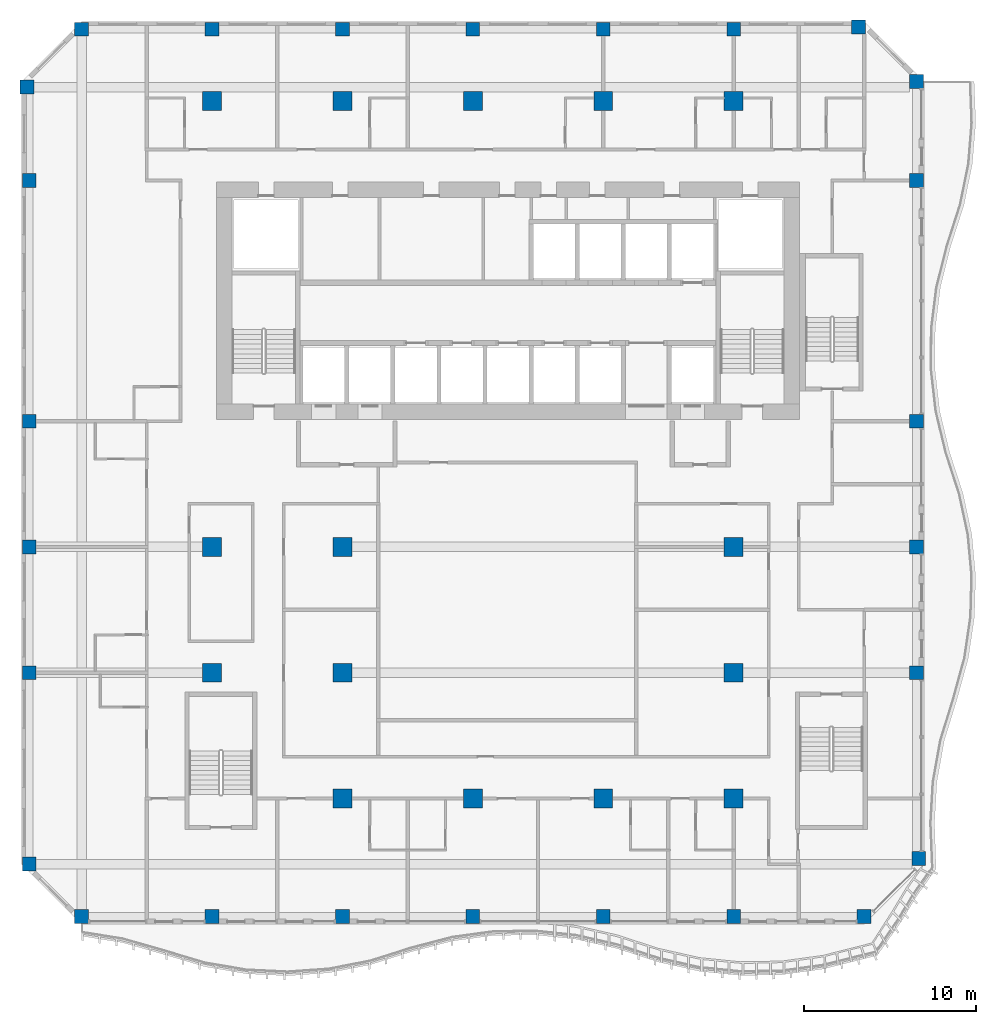
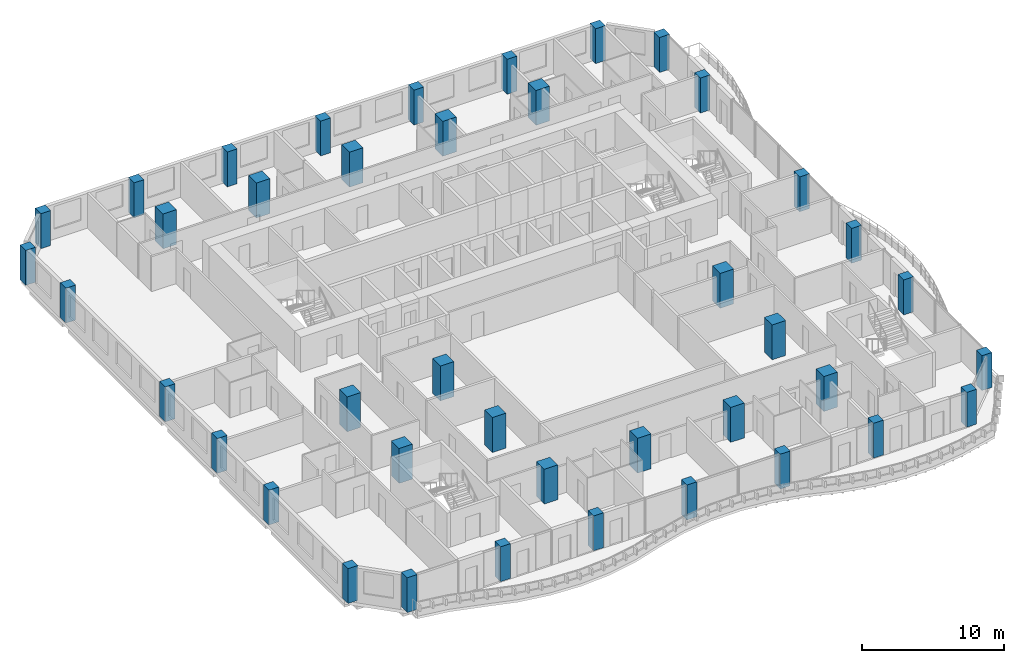
# One storey, part 1 of 23: 41 columns.
"""IFC4 building model written with IfcOpenShell, lengths in metres."""

import ifcopenshell
import ifcopenshell.guid

model = None  # the IFC model being written
_history = None  # IfcOwnerHistory: only IFC2X3 demands one
_inside = {}  # id of a spatial element -> (the spatial element, [elements in it])
_under = {}  # id of a project, library or spatial element -> (it, [spatial elements below it])
_declared = {}  # id of a project -> (the project, [libraries it declares])
_typed = {}  # id of a type object -> (the type object, [elements of that type])
_made_of = {}  # id of a material, layer set ... -> (it, [elements and type objects made of it])


def new_model(schema):
    """Start an empty IFC model of exactly this schema.

    Asked for "IFC4X3", IfcOpenShell would pick the latest addendum, in which some entities
    have other attributes; the version numbers below select the first issue.
    IFC2X3 requires an IfcOwnerHistory on every rooted entity: one is made here for all.
    """
    global model, _history
    if schema == "IFC4X3":
        model = ifcopenshell.file(schema_version=(4, 3, 0, 0))
    else:
        model = ifcopenshell.file(schema=schema)
    _inside.clear()
    _under.clear()
    _declared.clear()
    _typed.clear()
    _made_of.clear()
    _history = None
    if model.schema == "IFC2X3":
        org = make("IfcOrganization", Name="unknown")
        user = make(
            "IfcPersonAndOrganization",
            ThePerson=make("IfcPerson", FamilyName="unknown"),
            TheOrganization=org,
        )
        app = make(
            "IfcApplication",
            ApplicationDeveloper=org,
            Version="unknown",
            ApplicationFullName="unknown",
            ApplicationIdentifier="unknown",
        )
        _history = make(
            "IfcOwnerHistory",
            OwningUser=user,
            OwningApplication=app,
            ChangeAction="ADDED",
            CreationDate=0,
        )
    return model


def make(cls, **values):
    """One entity of the class cls with the attributes given. An attribute that is None is left unset."""
    return model.create_entity(
        cls, **{name: value for name, value in values.items() if value is not None}
    )


def rooted(cls, **values):
    """An entity with a GlobalId (a new one), such as an element, a storey or a relation."""
    return make(cls, GlobalId=ifcopenshell.guid.new(), OwnerHistory=_history, **values)


def si_unit(unit_type, name, prefix=None):
    """IfcSIUnit, for example si_unit("LENGTHUNIT", "METRE", prefix="MILLI")."""
    return make("IfcSIUnit", UnitType=unit_type, Prefix=prefix, Name=name)


def assignment(units):
    """IfcUnitAssignment: the units of a project."""
    return None if units is None else make("IfcUnitAssignment", Units=units)


def point(xyz):
    """IfcCartesianPoint."""
    return None if xyz is None else make("IfcCartesianPoint", Coordinates=xyz)


def direction(xyz):
    """IfcDirection."""
    return None if xyz is None else make("IfcDirection", DirectionRatios=xyz)


def frame(location, z_axis=None, x_axis=None):
    """IfcAxis2Placement3D, a coordinate frame: its origin and axes. An axis left out is left unset."""
    return make(
        "IfcAxis2Placement3D",
        Location=point(location),
        Axis=direction(z_axis),
        RefDirection=direction(x_axis),
    )


def frame_2d(location, x_axis=None):
    """IfcAxis2Placement2D, a coordinate frame in the plane: its origin and x axis."""
    return make(
        "IfcAxis2Placement2D", Location=point(location), RefDirection=direction(x_axis)
    )


def origin():
    """The frame at (0, 0, 0) with its axes left unset."""
    return frame((0.0, 0.0, 0.0))


def origin_2d():
    """The frame at (0, 0) in the plane with its x axis left unset."""
    return frame_2d((0.0, 0.0))


def place(relative_to, where):
    """IfcLocalPlacement: puts the frame where relative to a parent placement (None: the world)."""
    return make(
        "IfcLocalPlacement", PlacementRelTo=relative_to, RelativePlacement=where
    )


def context(
    kind, dimensions, precision=None, world=None, true_north=None, identifier=None
):
    """IfcGeometricRepresentationContext, for example the 3D "Model" context."""
    return make(
        "IfcGeometricRepresentationContext",
        ContextIdentifier=identifier,
        ContextType=kind,
        CoordinateSpaceDimension=dimensions,
        Precision=precision,
        WorldCoordinateSystem=world,
        TrueNorth=true_north,
    )


def subcontext(parent, identifier, kind, view, scale=None):
    """IfcGeometricRepresentationSubContext, for example "Body" below "Model"."""
    return make(
        "IfcGeometricRepresentationSubContext",
        ContextIdentifier=identifier,
        ContextType=kind,
        ParentContext=parent,
        TargetScale=scale,
        TargetView=view,
    )


def project(units=None, contexts=None):
    """IfcProject with its units and contexts."""
    return rooted(
        "IfcProject",
        Name="project",
        RepresentationContexts=contexts,
        UnitsInContext=assignment(units),
    )


def spatial(cls, under=None, at=None, **own):
    """A site, building, storey or space (cls), placed at a placement, below another one or the project."""
    s = rooted(cls, ObjectPlacement=at, **own)
    if under is not None:
        _under.setdefault(under.id(), (under, []))[1].append(s)
    return s


def profile(cls, at=None, kind="AREA", **sizes):
    """A parametric profile (cls). Its sizes go by their IFC names, for example OverallWidth=200.0."""
    return make(cls, ProfileType=kind, Position=at, **sizes)


def rectangle(**sizes):
    """IfcRectangleProfileDef."""
    return profile("IfcRectangleProfileDef", **sizes)


def extrude(swept, where, along, depth):
    """IfcExtrudedAreaSolid: the profile swept, set in the frame where, extruded along a direction by depth."""
    return make(
        "IfcExtrudedAreaSolid",
        SweptArea=swept,
        Position=where,
        ExtrudedDirection=direction(along),
        Depth=depth,
    )


def shape(context_of_items, identifier, shape_type, items):
    """IfcShapeRepresentation: the items that make up one representation, for example the "Body"."""
    return make(
        "IfcShapeRepresentation",
        ContextOfItems=context_of_items,
        RepresentationIdentifier=identifier,
        RepresentationType=shape_type,
        Items=items,
    )


def source(mapping_origin, context_of_items, identifier, shape_type, items):
    """IfcRepresentationMap: a shape defined once, which mapped items show again and again."""
    return make(
        "IfcRepresentationMap",
        MappingOrigin=mapping_origin,
        MappedRepresentation=shape(context_of_items, identifier, shape_type, items),
    )


def transform(
    local_origin,
    x_axis=None,
    y_axis=None,
    z_axis=None,
    scale=None,
    scale2=None,
    scale3=None,
    uniform=True,
):
    """IfcCartesianTransformationOperator3D, or its non-uniform kind. x_axis, y_axis, z_axis: its Axis1, 2, 3."""
    if uniform:
        return make(
            "IfcCartesianTransformationOperator3D",
            Axis1=direction(x_axis),
            Axis2=direction(y_axis),
            LocalOrigin=point(local_origin),
            Scale=scale,
            Axis3=direction(z_axis),
        )
    return make(
        "IfcCartesianTransformationOperator3DnonUniform",
        Axis1=direction(x_axis),
        Axis2=direction(y_axis),
        LocalOrigin=point(local_origin),
        Scale=scale,
        Axis3=direction(z_axis),
        Scale2=scale2,
        Scale3=scale3,
    )


def mapped(mapping_source, mapping_target):
    """IfcMappedItem: shows the shape of a source again, moved by a transform."""
    return make(
        "IfcMappedItem", MappingSource=mapping_source, MappingTarget=mapping_target
    )


def material(Name=None, Category=None):
    """IfcMaterial."""
    return make("IfcMaterial", Name=Name, Category=Category)


def material_profile(
    of_material, cross_section, Name=None, Category=None, Priority=None
):
    """IfcMaterialProfile: a cross section and its material."""
    return make(
        "IfcMaterialProfile",
        Name=Name,
        Material=of_material,
        Profile=cross_section,
        Priority=Priority,
        Category=Category,
    )


def profile_set(profiles, Name=None, composite=None):
    """IfcMaterialProfileSet."""
    return make(
        "IfcMaterialProfileSet",
        Name=Name,
        MaterialProfiles=profiles,
        CompositeProfile=composite,
    )


def made_of(thing, what):
    """Note that an element or type object is made of a material, layer set ...; save() writes the relation."""
    if what is not None:
        _made_of.setdefault(what.id(), (what, []))[1].append(thing)
    return thing


def type_object(cls, material=None, **own):
    """A type object (cls), such as IfcWallType, which elements share."""
    return made_of(rooted(cls, **own), material)


def element(
    cls,
    number,
    at=None,
    inside=None,
    cuts=None,
    type_object=None,
    material=None,
    context=None,
    identifier="Body",
    shape_type=None,
    held_by="IfcProductDefinitionShape",
    body=None,
    shapes=None,
    **own,
):
    """One element of the class cls, such as IfcWall. Its Tag is "e" and its number.

    at: its placement. inside: the storey or other place that contains it. cuts: it is an
    opening in that element (IfcRelVoidsElement). A single representation is given by context,
    identifier, shape_type and body (its items); several are given by shapes. held_by: the class
    of the entity that holds the representations. save() writes the other relations.
    """
    e = rooted(cls, Tag="e%d" % number, ObjectPlacement=at, **own)
    if body is not None:
        shapes = [shape(context, identifier, shape_type, body)]
    if shapes is not None:
        e.Representation = make(held_by, Representations=shapes)
    if inside is not None:
        _inside.setdefault(inside.id(), (inside, []))[1].append(e)
    if cuts is not None:
        rooted(
            "IfcRelVoidsElement", RelatingBuildingElement=cuts, RelatedOpeningElement=e
        )
    if type_object is not None:
        _typed.setdefault(type_object.id(), (type_object, []))[1].append(e)
    return made_of(e, material)


def aggregate(whole, parts):
    """IfcRelAggregates: a whole, such as a stair, and the parts it consists of."""
    return rooted("IfcRelAggregates", RelatingObject=whole, RelatedObjects=parts)


def save(model, path):
    """Write the relations noted so far, then the file.

    IfcRelAggregates (storeys below a building ...), IfcRelContainedInSpatialStructure (elements
    in a storey), IfcRelDefinesByType, IfcRelAssociatesMaterial and IfcRelDeclares: one each for
    every whole, place, type object, material and project.
    """
    for whole, parts in _under.values():
        aggregate(whole, parts)
    for where, things in _inside.values():
        rooted(
            "IfcRelContainedInSpatialStructure",
            RelatedElements=things,
            RelatingStructure=where,
        )
    for kind, things in _typed.values():
        rooted("IfcRelDefinesByType", RelatedObjects=things, RelatingType=kind)
    for what, things in _made_of.values():
        rooted("IfcRelAssociatesMaterial", RelatedObjects=things, RelatingMaterial=what)
    for by, libraries in _declared.values():
        rooted("IfcRelDeclares", RelatingContext=by, RelatedDefinitions=libraries)
    model.write(path)


model = new_model("IFC4")

# Units and contexts
model_context = context("Model", 3, precision=1e-05, world=origin(), true_north=direction((0.0, 1.0)))
body_context = subcontext(model_context, "Body", "Model", "MODEL_VIEW")
ifc_project = project(units=[si_unit("LENGTHUNIT", "METRE"), si_unit("AREAUNIT", "SQUARE_METRE"), si_unit("VOLUMEUNIT", "CUBIC_METRE"), si_unit("PLANEANGLEUNIT", "RADIAN"), si_unit("MASSUNIT", "GRAM", prefix="KILO")], contexts=[model_context])

# Site, building, storey
site_placement = place(None, origin())
site = spatial("IfcSite", under=ifc_project, at=site_placement, CompositionType="ELEMENT")
building_placement = place(site_placement, origin())
building = spatial("IfcBuilding", under=site, at=building_placement, Name="Kilnfold Tower and Market Hall", CompositionType="ELEMENT")
storey_placement = place(building_placement, frame((0.0, 0.0, 160.89990234375)))
storey = spatial("IfcBuildingStorey", under=building, at=storey_placement, Name="L37", CompositionType="ELEMENT", Elevation=160.89990234375)

# Columns
ifc_material_1 = material(Name="Concrete C70", Category="concrete")
ifc_material_profile_1 = material_profile(ifc_material_1, rectangle(XDim=0.800048828125, YDim=0.800048828125, at=origin_2d()), Name="RC 800x800")
ifc_profile_set_1 = profile_set([ifc_material_profile_1], Name="Concrete C70")
column_type_1 = type_object("IfcColumnType", Name="COLUMN 800X800 C70", PredefinedType="COLUMN", material=ifc_profile_set_1)
shared_shape_1 = source(origin(), body_context, "Body", "SweptSolid", [
    extrude(rectangle(XDim=0.800048828125, YDim=0.800048828125, at=origin_2d()), origin(), (0.0, 0.0, 1.0), 3.0),
])
for number, where, z_axis, x_axis, name in (
    (1, (-26.931884765625, 27.431884765625, 0.0), (0.0, 0.0, 1.0), (1.0, 0.0, 0.0), "Column C-B4-1I"),
    (2, (-26.800048828125, -17.75, 0.0), (0.0, 0.0, 1.0), (1.0, 0.0, 0.0), "Column C-B4-1B"),
    (3, (-26.800048828125, -6.625, 0.0), (0.0, 0.0, 1.0), (1.0, 0.0, 0.0), "Column C-B4-1D"),
    (4, (-26.800048828125, 0.6875, 0.0), (0.0, 0.0, 1.0), (1.0, 0.0, 0.0), "Column C-B4-1E"),
    (5, (-26.800048828125, 8.0, 0.0), (0.0, 0.0, 1.0), (1.0, 0.0, 0.0), "Column C-B4-1F"),
    (6, (-26.800048828125, 22.0, 0.0), (0.0, 0.0, 1.0), (1.0, 0.0, 0.0), "Column C-B4-1G"),
    (7, (-23.75, -20.800048828125, 0.0), (0.0, 0.0, 1.0), (1.0, 0.0, 0.0), "Column C-B4-2A"),
    (8, (-23.75, 30.800048828125, 0.0), (0.0, 0.0, 1.0), (1.0, 0.0, 0.0), "Column C-B4-2J"),
    (9, (-16.166748046875, -20.800048828125, 0.0), (0.0, 0.0, 1.0), (1.0, 0.0, 0.0), "Column C-B4-3A"),
    (10, (-16.166748046875, 30.800048828125, 0.0), (0.0, 0.0, 1.0), (1.0, 0.0, 0.0), "Column C-B4-3J"),
    (11, (-8.583251953125, -20.800048828125, 0.0), (0.0, 0.0, 1.0), (1.0, 0.0, 0.0), "Column C-B4-4A"),
    (12, (-8.583251953125, 30.800048828125, 0.0), (0.0, 0.0, 1.0), (1.0, 0.0, 0.0), "Column C-B4-4J"),
    (13, (-1.0, -20.800048828125, 0.0), (0.0, 0.0, 1.0), (1.0, 0.0, 0.0), "Column C-B4-5A"),
    (14, (-1.0, 30.800048828125, 0.0), (0.0, 0.0, 1.0), (1.0, 0.0, 0.0), "Column C-B4-5J"),
    (15, (6.583251953125, -20.800048828125, 0.0), (0.0, 0.0, 1.0), (1.0, 0.0, 0.0), "Column C-B4-6A"),
    (16, (6.583251953125, 30.800048828125, 0.0), (0.0, 0.0, 1.0), (1.0, 0.0, 0.0), "Column C-B4-6J"),
    (17, (14.166748046875, -20.800048828125, 0.0), (0.0, 0.0, 1.0), (1.0, 0.0, 0.0), "Column C-B4-7A"),
    (18, (14.166748046875, 30.800048828125, 0.0), (0.0, 0.0, 1.0), (1.0, 0.0, 0.0), "Column C-B4-7J"),
    (19, (21.431884765625, 30.931884765625, 0.0), (0.0, 0.0, 1.0), (1.0, 0.0, 0.0), "Column C-B4-8J"),
    (20, (21.75, -20.800048828125, 0.0), (0.0, 0.0, 1.0), (1.0, 0.0, 0.0), "Column C-B4-8A"),
    (21, (24.800048828125, -6.625, 0.0), (0.0, 0.0, 1.0), (1.0, 0.0, 0.0), "Column C-B4-9D"),
    (22, (24.800048828125, 0.6875, 0.0), (0.0, 0.0, 1.0), (1.0, 0.0, 0.0), "Column C-B4-9E"),
    (23, (24.800048828125, 8.0, 0.0), (0.0, 0.0, 1.0), (1.0, 0.0, 0.0), "Column C-B4-9F"),
    (24, (24.800048828125, 22.0, 0.0), (0.0, 0.0, 1.0), (1.0, 0.0, 0.0), "Column C-B4-9G"),
    (25, (24.800048828125, 27.75, 0.0), (0.0, 0.0, 1.0), (1.0, 0.0, 0.0), "Column C-B4-9I"),
    (26, (24.931884765625, -17.431884765625, 0.0), (0.0, 0.0, 1.0), (1.0, 0.0, 0.0), "Column C-B4-9B"),
):
    element("IfcColumn", number, at=place(storey_placement, frame(where, z_axis=z_axis, x_axis=x_axis)), inside=storey, type_object=column_type_1, Name=name, PredefinedType="COLUMN", context=body_context, shape_type="MappedRepresentation", body=[
        mapped(shared_shape_1, transform((0.0, 0.0, 0.0))),
    ])
ifc_material_2 = material(Name="Concrete C70", Category="concrete")
ifc_material_profile_2 = material_profile(ifc_material_2, rectangle(XDim=1.10009765625, YDim=1.10009765625, at=origin_2d()), Name="RC 1100x1100")
ifc_profile_set_2 = profile_set([ifc_material_profile_2], Name="Concrete C70")
column_type_2 = type_object("IfcColumnType", Name="COLUMN 1100X1100 C70", PredefinedType="COLUMN", material=ifc_profile_set_2)
shared_shape_2 = source(origin(), body_context, "Body", "SweptSolid", [
    extrude(rectangle(XDim=1.10009765625, YDim=1.10009765625, at=origin_2d()), origin(), (0.0, 0.0, 1.0), 3.0),
])
for number, where, z_axis, x_axis, name in (
    (27, (-16.166748046875, -6.625, 0.0), (0.0, 0.0, 1.0), (1.0, 0.0, 0.0), "Column C-B4-3D"),
    (28, (-16.166748046875, 0.6875, 0.0), (0.0, 0.0, 1.0), (1.0, 0.0, 0.0), "Column C-B4-3E"),
    (29, (-16.166748046875, 26.625, 0.0), (0.0, 0.0, 1.0), (1.0, 0.0, 0.0), "Column C-B4-3H"),
    (30, (-8.583251953125, -13.9375, 0.0), (0.0, 0.0, 1.0), (1.0, 0.0, 0.0), "Column C-B4-4C"),
    (31, (-8.583251953125, -6.625, 0.0), (0.0, 0.0, 1.0), (1.0, 0.0, 0.0), "Column C-B4-4D"),
    (32, (-8.583251953125, 0.6875, 0.0), (0.0, 0.0, 1.0), (1.0, 0.0, 0.0), "Column C-B4-4E"),
    (33, (-8.583251953125, 26.625, 0.0), (0.0, 0.0, 1.0), (1.0, 0.0, 0.0), "Column C-B4-4H"),
    (34, (-1.0, -13.9375, 0.0), (0.0, 0.0, 1.0), (1.0, 0.0, 0.0), "Column C-B4-5C"),
    (35, (-1.0, 26.625, 0.0), (0.0, 0.0, 1.0), (1.0, 0.0, 0.0), "Column C-B4-5H"),
    (36, (6.583251953125, -13.9375, 0.0), (0.0, 0.0, 1.0), (1.0, 0.0, 0.0), "Column C-B4-6C"),
    (37, (6.583251953125, 26.625, 0.0), (0.0, 0.0, 1.0), (1.0, 0.0, 0.0), "Column C-B4-6H"),
    (38, (14.166748046875, -13.9375, 0.0), (0.0, 0.0, 1.0), (1.0, 0.0, 0.0), "Column C-B4-7C"),
    (39, (14.166748046875, -6.625, 0.0), (0.0, 0.0, 1.0), (1.0, 0.0, 0.0), "Column C-B4-7D"),
    (40, (14.166748046875, 0.6875, 0.0), (0.0, 0.0, 1.0), (1.0, 0.0, 0.0), "Column C-B4-7E"),
    (41, (14.166748046875, 26.625, 0.0), (0.0, 0.0, 1.0), (1.0, 0.0, 0.0), "Column C-B4-7H"),
):
    element("IfcColumn", number, at=place(storey_placement, frame(where, z_axis=z_axis, x_axis=x_axis)), inside=storey, type_object=column_type_2, Name=name, PredefinedType="COLUMN", context=body_context, shape_type="MappedRepresentation", body=[
        mapped(shared_shape_2, transform((0.0, 0.0, 0.0))),
    ])

save(model, "model.ifc")
